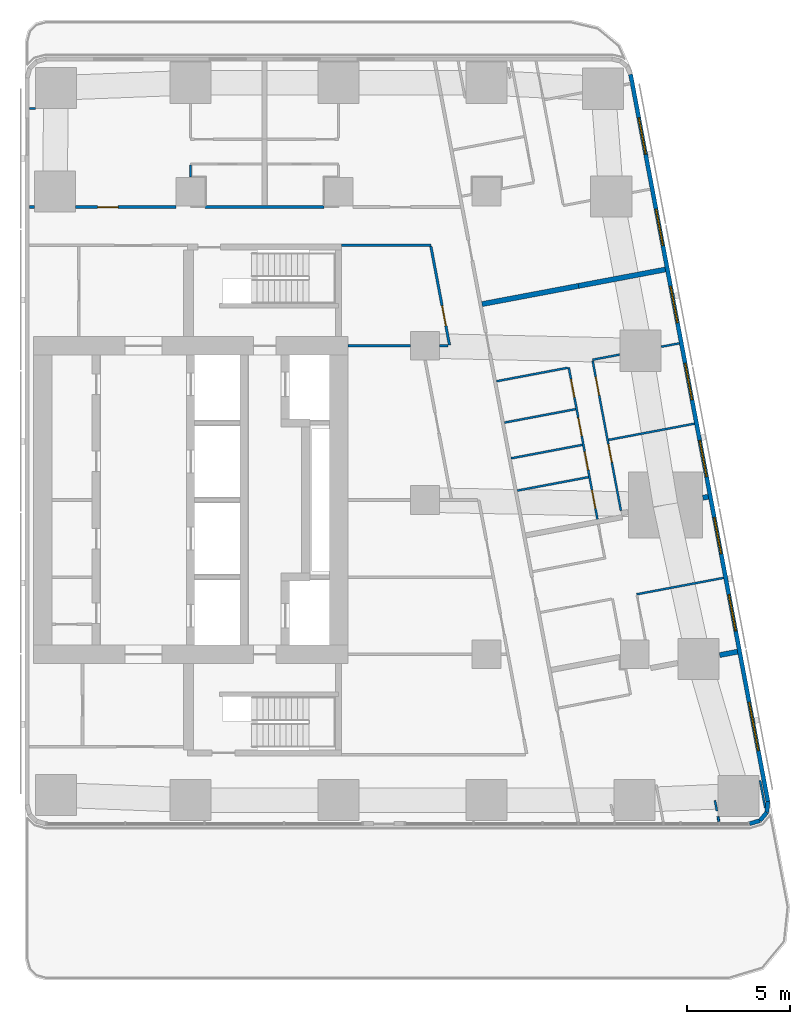
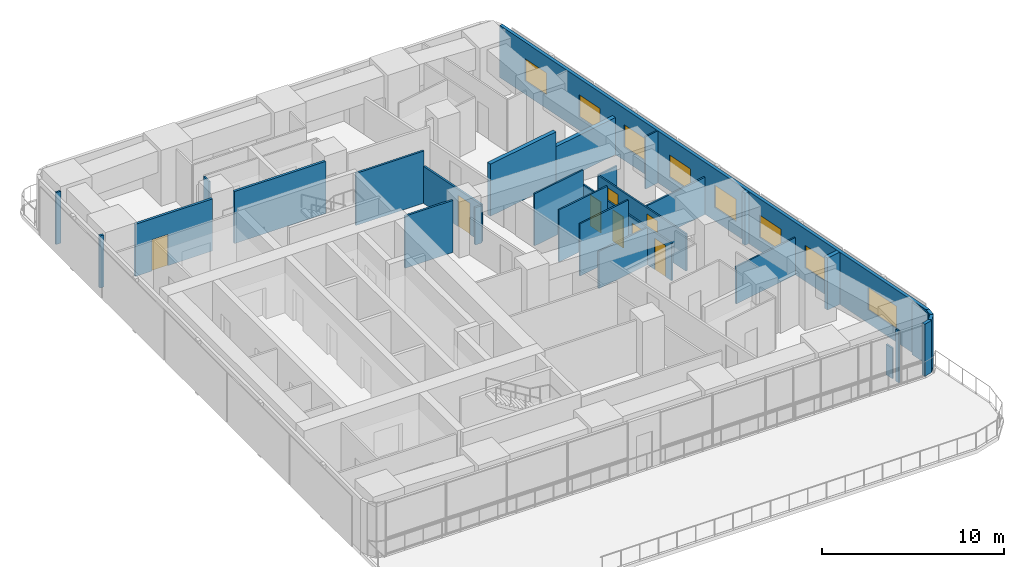
# One storey, part 7 of 12: 30 walls, 8 doors, 8 windows, 16 openings.
"""IFC4 building model written with IfcOpenShell, lengths in metres."""

from ifc_helpers import new_model, si_unit, direction, frame, frame_2d, origin, place, context, subcontext, project, spatial, rectangle, extrude, material, layer, layer_set, type_object, element, fill, save


model = new_model("IFC4")

# Units and contexts
model_context = context("Model", 3, precision=1e-05, world=origin(), true_north=direction((0.0, 1.0)))
body_context = subcontext(model_context, "Body", "Model", "MODEL_VIEW")
ifc_project = project(units=[si_unit("LENGTHUNIT", "METRE"), si_unit("AREAUNIT", "SQUARE_METRE"), si_unit("VOLUMEUNIT", "CUBIC_METRE"), si_unit("PLANEANGLEUNIT", "RADIAN"), si_unit("MASSUNIT", "GRAM", prefix="KILO")], contexts=[model_context])

# Site, building, storey
site_placement = place(None, origin())
site = spatial("IfcSite", under=ifc_project, at=site_placement, CompositionType="ELEMENT")
building_placement = place(site_placement, origin())
building = spatial("IfcBuilding", under=site, at=building_placement, Name="Sheger Commons Tower", CompositionType="ELEMENT")
storey_placement = place(building_placement, frame((0.0, 0.0, 251.60009765625)))
storey = spatial("IfcBuildingStorey", under=building, at=storey_placement, Name="L64", CompositionType="ELEMENT", Elevation=251.60009765625)

# Wall
ifc_material_1 = material(Name="Hollow concrete block masonry, skimmed both sides", Category="masonry")
ifc_layer_1 = layer(ifc_material_1, 0.14990234375)
ifc_layer_set_1 = layer_set([ifc_layer_1], Name="CORRIDOR WALL 150")
wall_type_1 = type_object("IfcWallType", Name="CORRIDOR WALL 150", PredefinedType="SOLIDWALL", material=ifc_layer_set_1)
wall_1_placement = place(storey_placement, frame((13.75, 36.75, 0.0), z_axis=(0.0, 0.0, 1.0), x_axis=(1.0, 0.0, 0.0)))
element("IfcWall", 1, at=wall_1_placement, inside=storey, type_object=wall_type_1, Name="Corridor wall L64", PredefinedType="SOLIDWALL", context=body_context, shape_type="SweptSolid", body=[
    extrude(rectangle(XDim=0.2490234375, YDim=0.14990234375, at=frame_2d((0.12451171875, 0.0))), origin(), (0.0, 0.0, 1.0), 3.5),
])

# Wall, opening, door
wall_2_placement = place(storey_placement, frame((16.0009765625, 36.75, 0.0), z_axis=(0.0, 0.0, 1.0), x_axis=(1.0, 0.0, 0.0)))
wall_2 = element("IfcWall", 2, at=wall_2_placement, inside=storey, type_object=wall_type_1, Name="Corridor wall L64", PredefinedType="SOLIDWALL", context=body_context, shape_type="SweptSolid", body=[
    extrude(rectangle(XDim=4.89794921875, YDim=0.14990234375, at=frame_2d((2.448974609375, 0.0))), origin(), (0.0, 0.0, 1.0), 3.5),
])
opening_1_placement = place(wall_2_placement, frame((1.073974609375, 0.0, 0.0)))
opening_1 = element("IfcOpeningElement", 3, at=opening_1_placement, cuts=wall_2, Name="Opening D1", PredefinedType="OPENING", context=body_context, shape_type="SweptSolid", body=[
    extrude(rectangle(XDim=1.0, YDim=2.10009765625, at=frame_2d((0.5, 1.050048828125))), frame((0.0, 0.0849609375, 0.0), z_axis=(0.0, -1.0, 0.0), x_axis=(1.0, 0.0, 0.0)), (0.0, 0.0, 1.0), 0.169921875),
])
ifc_material_2 = material(Name="Steel door set, fire rated", Category="steel")
door_type_1 = type_object("IfcDoorType", Name="FLAT ENTRANCE DOOR 1000x2100", OperationType="NOTDEFINED", PredefinedType="DOOR", material=ifc_material_2)
door_1_placement = place(opening_1_placement, origin())
door_1 = element("IfcDoor", 4, at=door_1_placement, inside=storey, type_object=door_type_1, Name="Flat entrance door", OperationType="SINGLE_SWING_LEFT", OverallHeight=2.10009765625, OverallWidth=1.0, PredefinedType="DOOR", context=body_context, shape_type="SweptSolid", body=[
    extrude(rectangle(XDim=1.0, YDim=2.10009765625, at=frame_2d((0.5, 1.050048828125))), frame((0.0, 0.02490234375, 0.0), z_axis=(0.0, -1.0, 0.0), x_axis=(1.0, 0.0, 0.0)), (0.0, 0.0, 1.0), 0.050048828125),
])
fill(opening_1, door_1)

# Walls
wall_3_placement = place(storey_placement, frame((22.301025390625, 36.75, 0.0), z_axis=(0.0, 0.0, 1.0), x_axis=(1.0, 0.0, 0.0)))
element("IfcWall", 5, at=wall_3_placement, inside=storey, type_object=wall_type_1, Name="Corridor wall L64", PredefinedType="SOLIDWALL", context=body_context, shape_type="SweptSolid", body=[
    extrude(rectangle(XDim=5.798095703125, YDim=0.14990234375, at=frame_2d((2.89892578125, 0.0))), origin(), (0.0, 0.0, 1.0), 3.5),
])
ifc_material_3 = material(Name="Dense concrete block masonry, plastered both sides (separating wall between flats)", Category="masonry")
ifc_layer_2 = layer(ifc_material_3, 0.25)
ifc_layer_set_2 = layer_set([ifc_layer_2], Name="DEMISING WALL 250")
wall_type_2 = type_object("IfcWallType", Name="DEMISING WALL 250", PredefinedType="SOLIDWALL", material=ifc_layer_set_2)
wall_4_placement = place(storey_placement, frame((44.693115234375, 33.712890625, 0.0), z_axis=(0.0, 0.0, 1.0), x_axis=(-0.982633535512, -0.185556823879, 0.0)))
element("IfcWall", 6, at=wall_4_placement, inside=storey, type_object=wall_type_2, Name="Demising wall L64", PredefinedType="SOLIDWALL", context=body_context, shape_type="SweptSolid", body=[
    extrude(rectangle(XDim=4.2998046875, YDim=0.25, at=frame_2d((2.14990234375, 0.0))), origin(), (0.0, 0.0, 1.0), 2.5),
])
wall_5_placement = place(storey_placement, frame((40.468017578125, 32.9150390625, 0.0), z_axis=(0.0, 0.0, 1.0), x_axis=(-0.982635807605, -0.185544791394, 0.0)))
element("IfcWall", 7, at=wall_5_placement, inside=storey, type_object=wall_type_2, Name="Demising wall L64", PredefinedType="SOLIDWALL", context=body_context, shape_type="SweptSolid", body=[
    extrude(rectangle(XDim=4.775146484375, YDim=0.25, at=frame_2d((2.3876953125, 0.0))), origin(), (0.0, 0.0, 1.0), 3.5),
])
wall_6_placement = place(storey_placement, frame((46.781982421875, 22.656982421875, 0.0), z_axis=(0.0, 0.0, 1.0), x_axis=(-0.982104607121, -0.188336243648, 0.0)))
element("IfcWall", 8, at=wall_6_placement, inside=storey, type_object=wall_type_2, Name="Demising wall L64", PredefinedType="SOLIDWALL", context=body_context, shape_type="SweptSolid", body=[
    extrude(rectangle(XDim=0.265625, YDim=0.25, at=frame_2d((0.1328125, 0.0))), origin(), (0.0, 0.0, 1.0), 3.5),
])
wall_7_placement = place(storey_placement, frame((48.2060546875, 15.1201171875, 0.0), z_axis=(0.0, 0.0, 1.0), x_axis=(-0.982608419258, -0.185689780017, 0.0)))
element("IfcWall", 9, at=wall_7_placement, inside=storey, type_object=wall_type_2, Name="Demising wall L64", PredefinedType="SOLIDWALL", context=body_context, shape_type="SweptSolid", body=[
    extrude(rectangle(XDim=0.883544921875, YDim=0.25, at=frame_2d((0.44189453125, 0.0))), origin(), (0.0, 0.0, 1.0), 3.5),
])
ifc_material_4 = material(Name="Rendered concrete block masonry, dark grey", Category="masonry")
ifc_layer_3 = layer(ifc_material_4, 0.199951171875)
ifc_layer_set_3 = layer_set([ifc_layer_3], Name="FACADE WALL 200")
wall_type_3 = type_object("IfcWallType", Name="FACADE WALL 200", PredefinedType="SOLIDWALL", material=ifc_layer_set_3)
wall_8_placement = place(storey_placement, frame((48.787109375, 6.75, 0.0), z_axis=(0.0, 0.0, 1.0), x_axis=(0.957282247819, 0.289155145225, 0.0)))
element("IfcWall", 10, at=wall_8_placement, inside=storey, type_object=wall_type_3, Name="Facade wall L64", PredefinedType="SOLIDWALL", context=body_context, shape_type="SweptSolid", body=[
    extrude(rectangle(XDim=0.53271484375, YDim=0.199951171875, at=frame_2d((0.266357421875, 0.0))), origin(), (0.0, 0.0, 1.0), 3.5),
])
wall_9_placement = place(storey_placement, frame((49.297119140625, 6.904052734375, 0.0), z_axis=(0.0, 0.0, 1.0), x_axis=(0.639255849474, 0.768994121508, 0.0)))
element("IfcWall", 11, at=wall_9_placement, inside=storey, type_object=wall_type_3, Name="Facade wall L64", PredefinedType="SOLIDWALL", context=body_context, shape_type="SweptSolid", body=[
    extrude(rectangle(XDim=0.517578125, YDim=0.199951171875, at=frame_2d((0.2587890625, 0.0))), origin(), (0.0, 0.0, 1.0), 3.5),
])
wall_10_placement = place(storey_placement, frame((49.6279296875, 7.302001953125, 0.0), z_axis=(0.0, 0.0, 1.0), x_axis=(0.105352390132, 0.994434952068, 0.0)))
element("IfcWall", 12, at=wall_10_placement, inside=storey, type_object=wall_type_3, Name="Facade wall L64", PredefinedType="SOLIDWALL", context=body_context, shape_type="SweptSolid", body=[
    extrude(rectangle(XDim=0.532958984375, YDim=0.199951171875, at=frame_2d((0.2666015625, 0.0))), origin(), (0.0, 0.0, 1.0), 3.5),
])

# Wall, openings, windows
wall_11_placement = place(storey_placement, frame((49.68408203125, 7.83203125, 0.0), z_axis=(0.0, 0.0, 1.0), x_axis=(-0.185616669694, 0.982622232565, 0.0)))
wall_11 = element("IfcWall", 13, at=wall_11_placement, inside=storey, type_object=wall_type_3, Name="Facade wall L64", PredefinedType="SOLIDWALL", context=body_context, shape_type="SweptSolid", body=[
    extrude(rectangle(XDim=35.99951171875, YDim=0.199951171875, at=frame_2d((17.999755859375, 0.0))), origin(), (0.0, 0.0, 1.0), 3.5),
])
opening_2_placement = place(wall_11_placement, frame((2.51806640625, 0.0, 0.89990234375)))
opening_2 = element("IfcOpeningElement", 14, at=opening_2_placement, cuts=wall_11, Name="Opening W1", PredefinedType="OPENING", context=body_context, shape_type="SweptSolid", body=[
    extrude(rectangle(XDim=2.39990234375, YDim=1.5, at=frame_2d((1.199951171875, 0.75))), frame((0.0, 0.10986328125, 0.0), z_axis=(0.0, -1.0, 0.0), x_axis=(1.0, 0.0, 0.0)), (0.0, 0.0, 1.0), 0.219970703125),
])
opening_3_placement = place(wall_11_placement, frame((8.444091796875, 0.0, 0.89990234375)))
opening_3 = element("IfcOpeningElement", 15, at=opening_3_placement, cuts=wall_11, Name="Opening W2", PredefinedType="OPENING", context=body_context, shape_type="SweptSolid", body=[
    extrude(rectangle(XDim=1.800048828125, YDim=1.5, at=frame_2d((0.89990234375, 0.75))), frame((0.0, 0.10986328125, 0.0), z_axis=(0.0, -1.0, 0.0), x_axis=(1.0, 0.0, 0.0)), (0.0, 0.0, 1.0), 0.219970703125),
])
opening_4_placement = place(wall_11_placement, frame((12.260986328125, 0.0, 0.89990234375)))
opening_4 = element("IfcOpeningElement", 16, at=opening_4_placement, cuts=wall_11, Name="Opening W2", PredefinedType="OPENING", context=body_context, shape_type="SweptSolid", body=[
    extrude(rectangle(XDim=1.800048828125, YDim=1.5, at=frame_2d((0.89990234375, 0.75))), frame((0.0, 0.10986328125, 0.0), z_axis=(0.0, -1.0, 0.0), x_axis=(1.0, 0.0, 0.0)), (0.0, 0.0, 1.0), 0.219970703125),
])
opening_5_placement = place(wall_11_placement, frame((16.077880859375, 0.0, 0.89990234375)))
opening_5 = element("IfcOpeningElement", 17, at=opening_5_placement, cuts=wall_11, Name="Opening W2", PredefinedType="OPENING", context=body_context, shape_type="SweptSolid", body=[
    extrude(rectangle(XDim=1.800048828125, YDim=1.5, at=frame_2d((0.89990234375, 0.75))), frame((0.0, 0.10986328125, 0.0), z_axis=(0.0, -1.0, 0.0), x_axis=(1.0, 0.0, 0.0)), (0.0, 0.0, 1.0), 0.219970703125),
])
opening_6_placement = place(wall_11_placement, frame((19.89404296875, 0.0, 0.89990234375)))
opening_6 = element("IfcOpeningElement", 18, at=opening_6_placement, cuts=wall_11, Name="Opening W2", PredefinedType="OPENING", context=body_context, shape_type="SweptSolid", body=[
    extrude(rectangle(XDim=1.800048828125, YDim=1.5, at=frame_2d((0.89990234375, 0.75))), frame((0.0, 0.10986328125, 0.0), z_axis=(0.0, -1.0, 0.0), x_axis=(1.0, 0.0, 0.0)), (0.0, 0.0, 1.0), 0.219970703125),
])
opening_7_placement = place(wall_11_placement, frame((23.7099609375, 0.0, 0.89990234375)))
opening_7 = element("IfcOpeningElement", 19, at=opening_7_placement, cuts=wall_11, Name="Opening W2", PredefinedType="OPENING", context=body_context, shape_type="SweptSolid", body=[
    extrude(rectangle(XDim=1.800048828125, YDim=1.5, at=frame_2d((0.89990234375, 0.75))), frame((0.0, 0.10986328125, 0.0), z_axis=(0.0, -1.0, 0.0), x_axis=(1.0, 0.0, 0.0)), (0.0, 0.0, 1.0), 0.219970703125),
])
opening_8_placement = place(wall_11_placement, frame((27.52587890625, 0.0, 0.89990234375)))
opening_8 = element("IfcOpeningElement", 20, at=opening_8_placement, cuts=wall_11, Name="Opening W2", PredefinedType="OPENING", context=body_context, shape_type="SweptSolid", body=[
    extrude(rectangle(XDim=1.800048828125, YDim=1.5, at=frame_2d((0.89990234375, 0.75))), frame((0.0, 0.10986328125, 0.0), z_axis=(0.0, -1.0, 0.0), x_axis=(1.0, 0.0, 0.0)), (0.0, 0.0, 1.0), 0.219970703125),
])
opening_9_placement = place(wall_11_placement, frame((32.0458984375, 0.0, 0.89990234375)))
opening_9 = element("IfcOpeningElement", 21, at=opening_9_placement, cuts=wall_11, Name="Opening W2", PredefinedType="OPENING", context=body_context, shape_type="SweptSolid", body=[
    extrude(rectangle(XDim=1.800048828125, YDim=1.5, at=frame_2d((0.89990234375, 0.75))), frame((0.0, 0.10986328125, 0.0), z_axis=(0.0, -1.0, 0.0), x_axis=(1.0, 0.0, 0.0)), (0.0, 0.0, 1.0), 0.219970703125),
])
ifc_material_5 = material(Name="Black aluminium frame, dark tinted double glazing", Category="aluminium")
window_type_1 = type_object("IfcWindowType", Name="WINDOW W1 2400x1500", PartitioningType="SINGLE_PANEL", PredefinedType="WINDOW", material=ifc_material_5)
window_1_placement = place(opening_2_placement, origin())
window_1 = element("IfcWindow", 22, at=window_1_placement, inside=storey, type_object=window_type_1, Name="Window W1 2400X1500", OverallHeight=1.5, OverallWidth=2.39990234375, PartitioningType="SINGLE_PANEL", PredefinedType="WINDOW", context=body_context, shape_type="SweptSolid", body=[
    extrude(rectangle(XDim=2.39990234375, YDim=1.5, at=frame_2d((1.199951171875, 0.75))), frame((0.0, 0.030029296875, 0.0), z_axis=(0.0, -1.0, 0.0), x_axis=(1.0, 0.0, 0.0)), (0.0, 0.0, 1.0), 0.06005859375),
])
fill(opening_2, window_1)
ifc_material_6 = material(Name="Black aluminium frame, dark tinted double glazing", Category="aluminium")
window_type_2 = type_object("IfcWindowType", Name="WINDOW W2 1800x1500", PartitioningType="SINGLE_PANEL", PredefinedType="WINDOW", material=ifc_material_6)
window_2_placement = place(opening_3_placement, origin())
window_2 = element("IfcWindow", 23, at=window_2_placement, inside=storey, type_object=window_type_2, Name="Window W2 1800X1500", OverallHeight=1.5, OverallWidth=1.800048828125, PartitioningType="SINGLE_PANEL", PredefinedType="WINDOW", context=body_context, shape_type="SweptSolid", body=[
    extrude(rectangle(XDim=1.800048828125, YDim=1.5, at=frame_2d((0.89990234375, 0.75))), frame((0.0, 0.030029296875, 0.0), z_axis=(0.0, -1.0, 0.0), x_axis=(1.0, 0.0, 0.0)), (0.0, 0.0, 1.0), 0.06005859375),
])
fill(opening_3, window_2)
window_3_placement = place(opening_4_placement, origin())
window_3 = element("IfcWindow", 24, at=window_3_placement, inside=storey, type_object=window_type_2, Name="Window W2 1800X1500", OverallHeight=1.5, OverallWidth=1.800048828125, PartitioningType="SINGLE_PANEL", PredefinedType="WINDOW", context=body_context, shape_type="SweptSolid", body=[
    extrude(rectangle(XDim=1.800048828125, YDim=1.5, at=frame_2d((0.89990234375, 0.75))), frame((0.0, 0.030029296875, 0.0), z_axis=(0.0, -1.0, 0.0), x_axis=(1.0, 0.0, 0.0)), (0.0, 0.0, 1.0), 0.06005859375),
])
fill(opening_4, window_3)
window_4_placement = place(opening_5_placement, origin())
window_4 = element("IfcWindow", 25, at=window_4_placement, inside=storey, type_object=window_type_2, Name="Window W2 1800X1500", OverallHeight=1.5, OverallWidth=1.800048828125, PartitioningType="SINGLE_PANEL", PredefinedType="WINDOW", context=body_context, shape_type="SweptSolid", body=[
    extrude(rectangle(XDim=1.800048828125, YDim=1.5, at=frame_2d((0.89990234375, 0.75))), frame((0.0, 0.030029296875, 0.0), z_axis=(0.0, -1.0, 0.0), x_axis=(1.0, 0.0, 0.0)), (0.0, 0.0, 1.0), 0.06005859375),
])
fill(opening_5, window_4)
window_5_placement = place(opening_6_placement, origin())
window_5 = element("IfcWindow", 26, at=window_5_placement, inside=storey, type_object=window_type_2, Name="Window W2 1800X1500", OverallHeight=1.5, OverallWidth=1.800048828125, PartitioningType="SINGLE_PANEL", PredefinedType="WINDOW", context=body_context, shape_type="SweptSolid", body=[
    extrude(rectangle(XDim=1.800048828125, YDim=1.5, at=frame_2d((0.89990234375, 0.75))), frame((0.0, 0.030029296875, 0.0), z_axis=(0.0, -1.0, 0.0), x_axis=(1.0, 0.0, 0.0)), (0.0, 0.0, 1.0), 0.06005859375),
])
fill(opening_6, window_5)
window_6_placement = place(opening_7_placement, origin())
window_6 = element("IfcWindow", 27, at=window_6_placement, inside=storey, type_object=window_type_2, Name="Window W2 1800X1500", OverallHeight=1.5, OverallWidth=1.800048828125, PartitioningType="SINGLE_PANEL", PredefinedType="WINDOW", context=body_context, shape_type="SweptSolid", body=[
    extrude(rectangle(XDim=1.800048828125, YDim=1.5, at=frame_2d((0.89990234375, 0.75))), frame((0.0, 0.030029296875, 0.0), z_axis=(0.0, -1.0, 0.0), x_axis=(1.0, 0.0, 0.0)), (0.0, 0.0, 1.0), 0.06005859375),
])
fill(opening_7, window_6)
window_7_placement = place(opening_8_placement, origin())
window_7 = element("IfcWindow", 28, at=window_7_placement, inside=storey, type_object=window_type_2, Name="Window W2 1800X1500", OverallHeight=1.5, OverallWidth=1.800048828125, PartitioningType="SINGLE_PANEL", PredefinedType="WINDOW", context=body_context, shape_type="SweptSolid", body=[
    extrude(rectangle(XDim=1.800048828125, YDim=1.5, at=frame_2d((0.89990234375, 0.75))), frame((0.0, 0.030029296875, 0.0), z_axis=(0.0, -1.0, 0.0), x_axis=(1.0, 0.0, 0.0)), (0.0, 0.0, 1.0), 0.06005859375),
])
fill(opening_8, window_7)
window_8_placement = place(opening_9_placement, origin())
window_8 = element("IfcWindow", 29, at=window_8_placement, inside=storey, type_object=window_type_2, Name="Window W2 1800X1500", OverallHeight=1.5, OverallWidth=1.800048828125, PartitioningType="SINGLE_PANEL", PredefinedType="WINDOW", context=body_context, shape_type="SweptSolid", body=[
    extrude(rectangle(XDim=1.800048828125, YDim=1.5, at=frame_2d((0.89990234375, 0.75))), frame((0.0, 0.030029296875, 0.0), z_axis=(0.0, -1.0, 0.0), x_axis=(1.0, 0.0, 0.0)), (0.0, 0.0, 1.0), 0.06005859375),
])
fill(opening_9, window_8)

# Walls
ifc_material_7 = material(Name="Gypsum board on steel studs", Category="steel")
ifc_layer_4 = layer(ifc_material_7, 0.10009765625)
ifc_layer_set_4 = layer_set([ifc_layer_4], Name="PARTITION 100")
wall_type_4 = type_object("IfcWallType", Name="PARTITION 100", PredefinedType="PARTITIONING", material=ifc_layer_set_4)
wall_12_placement = place(storey_placement, frame((49.300048828125, 8.85107421875, 0.0), z_axis=(0.0, 0.0, 1.0), x_axis=(0.18581620423, -0.982584519645, 0.0)))
element("IfcWall", 30, at=wall_12_placement, inside=storey, type_object=wall_type_4, Name="Partition L64", PredefinedType="PARTITIONING", context=body_context, shape_type="SweptSolid", body=[
    extrude(rectangle(XDim=1.3505859375, YDim=0.10009765625, at=frame_2d((0.67529296875, 0.0))), origin(), (0.0, 0.0, 1.0), 3.5),
])
wall_13_placement = place(storey_placement, frame((47.301025390625, 6.85009765625, 0.0), z_axis=(0.0, 0.0, 1.0), x_axis=(-0.187513903188, 0.982261948826, 0.0)))
element("IfcWall", 31, at=wall_13_placement, inside=storey, type_object=wall_type_4, Name="Partition L64", PredefinedType="PARTITIONING", context=body_context, shape_type="SweptSolid", body=[
    extrude(rectangle(XDim=0.251220703125, YDim=0.10009765625, at=frame_2d((0.12548828125, 0.0))), origin(), (0.0, 0.0, 1.0), 3.5),
])
wall_14_placement = place(storey_placement, frame((47.202880859375, 7.368896484375, 0.0), z_axis=(0.0, 0.0, 1.0), x_axis=(-0.186456243114, 0.982463266185, 0.0)))
element("IfcWall", 32, at=wall_14_placement, inside=storey, type_object=wall_type_4, Name="Partition L64", PredefinedType="PARTITIONING", context=body_context, shape_type="SweptSolid", body=[
    extrude(rectangle(XDim=0.5302734375, YDim=0.10009765625, at=frame_2d((0.26513671875, 0.0))), origin(), (0.0, 0.0, 1.0), 2.0498046875),
])

# Wall, openings, doors
wall_15_placement = place(storey_placement, frame((41.156982421875, 29.27294921875, 0.0), z_axis=(0.0, 0.0, 1.0), x_axis=(0.18542464283, -0.982658486877, 0.0)))
wall_15 = element("IfcWall", 33, at=wall_15_placement, inside=storey, type_object=wall_type_4, Name="Partition L64", PredefinedType="PARTITIONING", context=body_context, shape_type="SweptSolid", body=[
    extrude(rectangle(XDim=7.420654296875, YDim=0.10009765625, at=frame_2d((3.71044921875, 0.0))), origin(), (0.0, 0.0, 1.0), 2.5),
])
opening_10_placement = place(wall_15_placement, frame((0.800048828125, 0.0, 0.0)))
opening_10 = element("IfcOpeningElement", 34, at=opening_10_placement, cuts=wall_15, Name="Opening D2", PredefinedType="OPENING", context=body_context, shape_type="SweptSolid", body=[
    extrude(rectangle(XDim=0.89990234375, YDim=2.10009765625, at=frame_2d((0.449951171875, 1.050048828125))), frame((0.0, 0.06005859375, 0.0), z_axis=(0.0, -1.0, 0.0), x_axis=(1.0, 0.0, 0.0)), (0.0, 0.0, 1.0), 0.1201171875),
])
opening_11_placement = place(wall_15_placement, frame((4.1259765625, 0.0, 0.0)))
opening_11 = element("IfcOpeningElement", 35, at=opening_11_placement, cuts=wall_15, Name="Opening D2", PredefinedType="OPENING", context=body_context, shape_type="SweptSolid", body=[
    extrude(rectangle(XDim=0.89990234375, YDim=2.10009765625, at=frame_2d((0.449951171875, 1.050048828125))), frame((0.0, 0.06005859375, 0.0), z_axis=(0.0, -1.0, 0.0), x_axis=(1.0, 0.0, 0.0)), (0.0, 0.0, 1.0), 0.1201171875),
])
ifc_material_8 = material(Name="Timber door set", Category="wood")
door_type_2 = type_object("IfcDoorType", Name="INTERNAL DOOR 900x2100", OperationType="NOTDEFINED", PredefinedType="DOOR", material=ifc_material_8)
door_2_placement = place(opening_10_placement, origin())
door_2 = element("IfcDoor", 36, at=door_2_placement, inside=storey, type_object=door_type_2, Name="Main bedroom door", OperationType="SINGLE_SWING_LEFT", OverallHeight=2.10009765625, OverallWidth=0.89990234375, PredefinedType="DOOR", context=body_context, shape_type="SweptSolid", body=[
    extrude(rectangle(XDim=0.89990234375, YDim=2.10009765625, at=frame_2d((0.449951171875, 1.050048828125))), frame((0.0, 0.02490234375, 0.0), z_axis=(0.0, -1.0, 0.0), x_axis=(1.0, 0.0, 0.0)), (0.0, 0.0, 1.0), 0.050048828125),
])
fill(opening_10, door_2)
door_3_placement = place(opening_11_placement, origin())
door_3 = element("IfcDoor", 37, at=door_3_placement, inside=storey, type_object=door_type_2, Name="Bedroom 2 door", OperationType="SINGLE_SWING_LEFT", OverallHeight=2.10009765625, OverallWidth=0.89990234375, PredefinedType="DOOR", context=body_context, shape_type="SweptSolid", body=[
    extrude(rectangle(XDim=0.89990234375, YDim=2.10009765625, at=frame_2d((0.449951171875, 1.050048828125))), frame((0.0, 0.02490234375, 0.0), z_axis=(0.0, -1.0, 0.0), x_axis=(1.0, 0.0, 0.0)), (0.0, 0.0, 1.0), 0.050048828125),
])
fill(opening_11, door_3)

wall_16_placement = place(storey_placement, frame((39.9970703125, 28.94189453125, 0.0), z_axis=(0.0, 0.0, 1.0), x_axis=(0.185686318797, -0.982609073341, 0.0)))
wall_16 = element("IfcWall", 38, at=wall_16_placement, inside=storey, type_object=wall_type_4, Name="Partition L64", PredefinedType="PARTITIONING", context=body_context, shape_type="SweptSolid", body=[
    extrude(rectangle(XDim=7.507568359375, YDim=0.10009765625, at=frame_2d((3.75390625, 0.0))), origin(), (0.0, 0.0, 1.0), 2.5),
])
opening_12_placement = place(wall_16_placement, frame((0.575927734375, 0.0, 0.0)))
opening_12 = element("IfcOpeningElement", 39, at=opening_12_placement, cuts=wall_16, Name="Opening D2", PredefinedType="OPENING", context=body_context, shape_type="SweptSolid", body=[
    extrude(rectangle(XDim=0.89990234375, YDim=2.10009765625, at=frame_2d((0.449951171875, 1.050048828125))), frame((0.0, 0.06005859375, 0.0), z_axis=(0.0, -1.0, 0.0), x_axis=(1.0, 0.0, 0.0)), (0.0, 0.0, 1.0), 0.1201171875),
])
opening_13_placement = place(wall_16_placement, frame((4.166015625, 0.0, 0.0)))
opening_13 = element("IfcOpeningElement", 40, at=opening_13_placement, cuts=wall_16, Name="Opening D2", PredefinedType="OPENING", context=body_context, shape_type="SweptSolid", body=[
    extrude(rectangle(XDim=0.89990234375, YDim=2.10009765625, at=frame_2d((0.449951171875, 1.050048828125))), frame((0.0, 0.06005859375, 0.0), z_axis=(0.0, -1.0, 0.0), x_axis=(1.0, 0.0, 0.0)), (0.0, 0.0, 1.0), 0.1201171875),
])
opening_14_placement = place(wall_16_placement, frame((2.48291015625, 0.0, 0.0)))
opening_14 = element("IfcOpeningElement", 41, at=opening_14_placement, cuts=wall_16, Name="Opening D2", PredefinedType="OPENING", context=body_context, shape_type="SweptSolid", body=[
    extrude(rectangle(XDim=0.89990234375, YDim=2.10009765625, at=frame_2d((0.449951171875, 1.050048828125))), frame((0.0, 0.06005859375, 0.0), z_axis=(0.0, -1.0, 0.0), x_axis=(1.0, 0.0, 0.0)), (0.0, 0.0, 1.0), 0.1201171875),
])
opening_15_placement = place(wall_16_placement, frame((6.073974609375, 0.0, 0.0)))
opening_15 = element("IfcOpeningElement", 42, at=opening_15_placement, cuts=wall_16, Name="Opening D2", PredefinedType="OPENING", context=body_context, shape_type="SweptSolid", body=[
    extrude(rectangle(XDim=0.89990234375, YDim=2.10009765625, at=frame_2d((0.449951171875, 1.050048828125))), frame((0.0, 0.06005859375, 0.0), z_axis=(0.0, -1.0, 0.0), x_axis=(1.0, 0.0, 0.0)), (0.0, 0.0, 1.0), 0.1201171875),
])
door_4_placement = place(opening_12_placement, origin())
door_4 = element("IfcDoor", 43, at=door_4_placement, inside=storey, type_object=door_type_2, Name="Bathroom door", OperationType="SINGLE_SWING_RIGHT", OverallHeight=2.10009765625, OverallWidth=0.89990234375, PredefinedType="DOOR", context=body_context, shape_type="SweptSolid", body=[
    extrude(rectangle(XDim=0.89990234375, YDim=2.10009765625, at=frame_2d((0.449951171875, 1.050048828125))), frame((0.0, 0.02490234375, 0.0), z_axis=(0.0, -1.0, 0.0), x_axis=(1.0, 0.0, 0.0)), (0.0, 0.0, 1.0), 0.050048828125),
])
fill(opening_12, door_4)
door_5_placement = place(opening_13_placement, origin())
door_5 = element("IfcDoor", 44, at=door_5_placement, inside=storey, type_object=door_type_2, Name="Shower room door", OperationType="SINGLE_SWING_LEFT", OverallHeight=2.10009765625, OverallWidth=0.89990234375, PredefinedType="DOOR", context=body_context, shape_type="SweptSolid", body=[
    extrude(rectangle(XDim=0.89990234375, YDim=2.10009765625, at=frame_2d((0.449951171875, 1.050048828125))), frame((0.0, 0.02490234375, 0.0), z_axis=(0.0, -1.0, 0.0), x_axis=(1.0, 0.0, 0.0)), (0.0, 0.0, 1.0), 0.050048828125),
])
fill(opening_13, door_5)
door_6_placement = place(opening_14_placement, origin())
door_6 = element("IfcDoor", 45, at=door_6_placement, inside=storey, type_object=door_type_2, Name="Store door", OperationType="SINGLE_SWING_LEFT", OverallHeight=2.10009765625, OverallWidth=0.89990234375, PredefinedType="DOOR", context=body_context, shape_type="SweptSolid", body=[
    extrude(rectangle(XDim=0.89990234375, YDim=2.10009765625, at=frame_2d((0.449951171875, 1.050048828125))), frame((0.0, 0.02490234375, 0.0), z_axis=(0.0, -1.0, 0.0), x_axis=(1.0, 0.0, 0.0)), (0.0, 0.0, 1.0), 0.050048828125),
])
fill(opening_14, door_6)
door_7_placement = place(opening_15_placement, origin())
door_7 = element("IfcDoor", 46, at=door_7_placement, inside=storey, type_object=door_type_2, Name="Store door", OperationType="SINGLE_SWING_LEFT", OverallHeight=2.10009765625, OverallWidth=0.89990234375, PredefinedType="DOOR", context=body_context, shape_type="SweptSolid", body=[
    extrude(rectangle(XDim=0.89990234375, YDim=2.10009765625, at=frame_2d((0.449951171875, 1.050048828125))), frame((0.0, 0.02490234375, 0.0), z_axis=(0.0, -1.0, 0.0), x_axis=(1.0, 0.0, 0.0)), (0.0, 0.0, 1.0), 0.050048828125),
])
fill(opening_15, door_7)

# Walls
wall_17_placement = place(storey_placement, frame((45.3720703125, 30.12109375, 0.0), z_axis=(0.0, 0.0, 1.0), x_axis=(-0.982547416156, -0.186012297994, 0.0)))
element("IfcWall", 47, at=wall_17_placement, inside=storey, type_object=wall_type_4, Name="Partition L64", PredefinedType="PARTITIONING", context=body_context, shape_type="SweptSolid", body=[
    extrude(rectangle(XDim=0.897705078125, YDim=0.10009765625, at=frame_2d((0.44873046875, 0.0))), origin(), (0.0, 0.0, 1.0), 3.5),
])
wall_18_placement = place(storey_placement, frame((42.469970703125, 29.572021484375, 0.0), z_axis=(0.0, 0.0, 1.0), x_axis=(-0.982610503289, -0.185678751683, 0.0)))
element("IfcWall", 48, at=wall_18_placement, inside=storey, type_object=wall_type_4, Name="Partition L64", PredefinedType="PARTITIONING", context=body_context, shape_type="SweptSolid", body=[
    extrude(rectangle(XDim=1.346435546875, YDim=0.10009765625, at=frame_2d((0.67333984375, 0.0))), origin(), (0.0, 0.0, 1.0), 2.5),
])
wall_19_placement = place(storey_placement, frame((46.110107421875, 26.212890625, 0.0), z_axis=(0.0, 0.0, 1.0), x_axis=(-0.982623519589, -0.185609856287, 0.0)))
element("IfcWall", 49, at=wall_19_placement, inside=storey, type_object=wall_type_4, Name="Partition L64", PredefinedType="PARTITIONING", context=body_context, shape_type="SweptSolid", body=[
    extrude(rectangle(XDim=4.249755859375, YDim=0.10009765625, at=frame_2d((2.125, 0.0))), origin(), (0.0, 0.0, 1.0), 2.5),
])
wall_20_placement = place(storey_placement, frame((39.947998046875, 28.93310546875, 0.0), z_axis=(0.0, 0.0, 1.0), x_axis=(-0.982588017646, -0.185797706064, 0.0)))
element("IfcWall", 50, at=wall_20_placement, inside=storey, type_object=wall_type_4, Name="Partition L64", PredefinedType="PARTITIONING", context=body_context, shape_type="SweptSolid", body=[
    extrude(rectangle(XDim=3.525390625, YDim=0.10009765625, at=frame_2d((1.7626953125, 0.0))), origin(), (0.0, 0.0, 1.0), 3.5),
])
wall_21_placement = place(storey_placement, frame((40.656005859375, 25.18310546875, 0.0), z_axis=(0.0, 0.0, 1.0), x_axis=(-0.982576058723, -0.185860939478, 0.0)))
element("IfcWall", 51, at=wall_21_placement, inside=storey, type_object=wall_type_4, Name="Partition L64", PredefinedType="PARTITIONING", context=body_context, shape_type="SweptSolid", body=[
    extrude(rectangle(XDim=3.5244140625, YDim=0.10009765625, at=frame_2d((1.76220703125, 0.0))), origin(), (0.0, 0.0, 1.0), 3.5),
])
wall_22_placement = place(storey_placement, frame((40.3291015625, 26.91796875, 0.0), z_axis=(0.0, 0.0, 1.0), x_axis=(-0.982638553676, -0.185530247748, 0.0)))
element("IfcWall", 52, at=wall_22_placement, inside=storey, type_object=wall_type_4, Name="Partition L64", PredefinedType="PARTITIONING", context=body_context, shape_type="SweptSolid", body=[
    extrude(rectangle(XDim=3.525390625, YDim=0.10009765625, at=frame_2d((1.7626953125, 0.0))), origin(), (0.0, 0.0, 1.0), 3.5),
])
wall_23_placement = place(storey_placement, frame((40.9541015625, 23.610107421875, 0.0), z_axis=(0.0, 0.0, 1.0), x_axis=(-0.98264808502, -0.18547975902, 0.0)))
element("IfcWall", 53, at=wall_23_placement, inside=storey, type_object=wall_type_4, Name="Partition L64", PredefinedType="PARTITIONING", context=body_context, shape_type="SweptSolid", body=[
    extrude(rectangle(XDim=3.5263671875, YDim=0.10009765625, at=frame_2d((1.76318359375, 0.0))), origin(), (0.0, 0.0, 1.0), 2.5),
])
wall_24_placement = place(storey_placement, frame((47.527099609375, 18.7119140625, 0.0), z_axis=(0.0, 0.0, 1.0), x_axis=(-0.982633535512, -0.185556823879, 0.0)))
element("IfcWall", 54, at=wall_24_placement, inside=storey, type_object=wall_type_4, Name="Partition L64", PredefinedType="PARTITIONING", context=body_context, shape_type="SweptSolid", body=[
    extrude(rectangle(XDim=4.2998046875, YDim=0.10009765625, at=frame_2d((2.14990234375, 0.0))), origin(), (0.0, 0.0, 1.0), 2.5),
])
wall_25_placement = place(storey_placement, frame((14.053955078125, 41.5458984375, 0.0), z_axis=(0.0, 0.0, 1.0), x_axis=(-1.0, 0.0, 0.0)))
element("IfcWall", 55, at=wall_25_placement, inside=storey, type_object=wall_type_4, Name="Partition L64", PredefinedType="PARTITIONING", context=body_context, shape_type="SweptSolid", body=[
    extrude(rectangle(XDim=0.303955078125, YDim=0.10009765625, at=frame_2d((0.15185546875, 0.0))), origin(), (0.0, 0.0, 1.0), 3.5),
])
wall_26_placement = place(storey_placement, frame((21.60009765625, 38.200927734375, 0.0), z_axis=(0.0, 0.0, 1.0), x_axis=(0.0, 1.0, 0.0)))
element("IfcWall", 56, at=wall_26_placement, inside=storey, type_object=wall_type_4, Name="Partition L64", PredefinedType="PARTITIONING", context=body_context, shape_type="SweptSolid", body=[
    extrude(rectangle(XDim=0.59912109375, YDim=0.10009765625, at=frame_2d((0.299560546875, 0.0))), origin(), (0.0, 0.0, 1.0), 3.5),
])
ifc_material_9 = material(Name="Gypsum board on steel studs, two layers each side, fire rated", Category="steel")
ifc_layer_5 = layer(ifc_material_9, 0.125)
ifc_layer_set_5 = layer_set([ifc_layer_5], Name="SERVICE WALL 125")
wall_type_5 = type_object("IfcWallType", Name="SERVICE WALL 125", PredefinedType="PARTITIONING", material=ifc_layer_set_5)
wall_27_placement = place(storey_placement, frame((28.949951171875, 34.89990234375, 0.0), z_axis=(0.0, 0.0, 1.0), x_axis=(1.0, 0.0, 0.0)))
element("IfcWall", 57, at=wall_27_placement, inside=storey, type_object=wall_type_5, Name="Service room wall L64", PredefinedType="PARTITIONING", context=body_context, shape_type="SweptSolid", body=[
    extrude(rectangle(XDim=4.333984375, YDim=0.125, at=frame_2d((2.1669921875, 0.0))), origin(), (0.0, 0.0, 1.0), 3.5),
])

# Wall, opening, door
wall_28_placement = place(storey_placement, frame((34.193115234375, 30.0400390625, 0.0), z_axis=(0.0, 0.0, 1.0), x_axis=(-0.185556349615, 0.98263362507, 0.0)))
wall_28 = element("IfcWall", 58, at=wall_28_placement, inside=storey, type_object=wall_type_5, Name="Service room wall L64", PredefinedType="PARTITIONING", context=body_context, shape_type="SweptSolid", body=[
    extrude(rectangle(XDim=4.882568359375, YDim=0.125, at=frame_2d((2.44140625, 0.0))), origin(), (0.0, 0.0, 1.0), 2.5),
])
opening_16_placement = place(wall_28_placement, frame((0.949951171875, 0.0, 0.0)))
opening_16 = element("IfcOpeningElement", 59, at=opening_16_placement, cuts=wall_28, Name="Opening D4", PredefinedType="OPENING", context=body_context, shape_type="SweptSolid", body=[
    extrude(rectangle(XDim=1.0, YDim=2.10009765625, at=frame_2d((0.5, 1.050048828125))), frame((0.0, 0.072509765625, 0.0), z_axis=(0.0, -1.0, 0.0), x_axis=(1.0, 0.0, 0.0)), (0.0, 0.0, 1.0), 0.14501953125),
])
ifc_material_10 = material(Name="Steel door set, fire rated", Category="steel")
door_type_3 = type_object("IfcDoorType", Name="SERVICE DOOR 1000x2100", OperationType="NOTDEFINED", PredefinedType="DOOR", material=ifc_material_10)
door_8_placement = place(opening_16_placement, origin())
door_8 = element("IfcDoor", 60, at=door_8_placement, inside=storey, type_object=door_type_3, Name="Linen store door", OperationType="SINGLE_SWING_LEFT", OverallHeight=2.10009765625, OverallWidth=1.0, PredefinedType="DOOR", context=body_context, shape_type="SweptSolid", body=[
    extrude(rectangle(XDim=1.0, YDim=2.10009765625, at=frame_2d((0.5, 1.050048828125))), frame((0.0, 0.02490234375, 0.0), z_axis=(0.0, -1.0, 0.0), x_axis=(1.0, 0.0, 0.0)), (0.0, 0.0, 1.0), 0.050048828125),
])
fill(opening_16, door_8)

# Walls
wall_29_placement = place(storey_placement, frame((29.25, 30.0, 0.0), z_axis=(0.0, 0.0, 1.0), x_axis=(1.0, 0.0, 0.0)))
element("IfcWall", 61, at=wall_29_placement, inside=storey, type_object=wall_type_5, Name="Service room wall L64", PredefinedType="PARTITIONING", context=body_context, shape_type="SweptSolid", body=[
    extrude(rectangle(XDim=3.049072265625, YDim=0.125, at=frame_2d((1.5244140625, 0.0))), origin(), (0.0, 0.0, 1.0), 3.5),
])
wall_30_placement = place(storey_placement, frame((33.700927734375, 30.0, 0.0), z_axis=(0.0, 0.0, 1.0), x_axis=(1.0, 0.0, 0.0)))
element("IfcWall", 62, at=wall_30_placement, inside=storey, type_object=wall_type_5, Name="Service room wall L64", PredefinedType="PARTITIONING", context=body_context, shape_type="SweptSolid", body=[
    extrude(rectangle(XDim=0.424072265625, YDim=0.125, at=frame_2d((0.2119140625, 0.0))), origin(), (0.0, 0.0, 1.0), 2.5),
])

save(model, "model.ifc")
